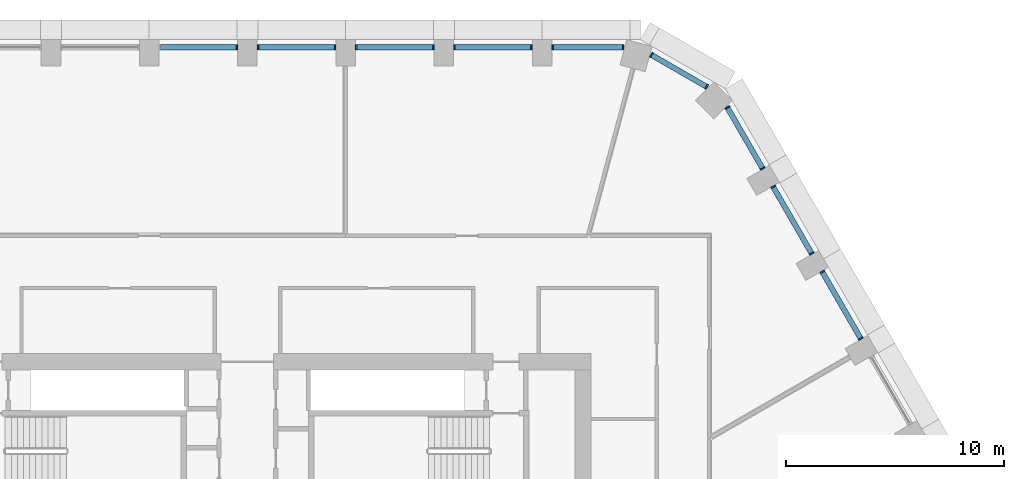
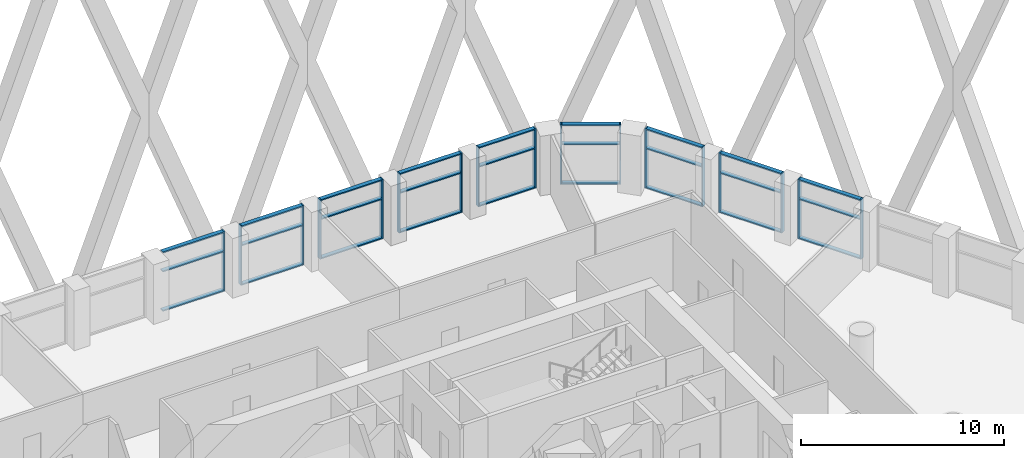
# One storey, part 5 of 24: 44 members, 9 elements without a shape of their own.
"""IFC4 building model written with IfcOpenShell, lengths in metres."""

from ifc_helpers import new_model, si_unit, direction, frame, origin, origin_2d, place, context, subcontext, project, spatial, rectangle, extrude, material, layer, layer_set, material_profile, profile_set, type_object, element, aggregate, save


model = new_model("IFC4")

# Units and contexts
model_context = context("Model", 3, precision=1e-05, world=origin(), true_north=direction((0.0, 1.0)))
body_context = subcontext(model_context, "Body", "Model", "MODEL_VIEW")
ifc_project = project(units=[si_unit("LENGTHUNIT", "METRE"), si_unit("AREAUNIT", "SQUARE_METRE"), si_unit("VOLUMEUNIT", "CUBIC_METRE"), si_unit("PLANEANGLEUNIT", "RADIAN"), si_unit("MASSUNIT", "GRAM", prefix="KILO")], contexts=[model_context])

# Site, building, storey
site_placement = place(None, origin())
site = spatial("IfcSite", under=ifc_project, at=site_placement, CompositionType="ELEMENT")
building_placement = place(site_placement, origin())
building = spatial("IfcBuilding", under=site, at=building_placement, Name="Dhurran Vertical Campus", CompositionType="ELEMENT")
storey_placement = place(building_placement, frame((0.0, 0.0, 132.60009765625)))
storey = spatial("IfcBuildingStorey", under=building, at=storey_placement, Name="L32", CompositionType="ELEMENT", Elevation=132.60009765625)

# Curtain wall, members
ifc_material_1 = material(Name="Aluminium frame with solar-control glass", Category="aluminium")
ifc_layer = layer(ifc_material_1, 0.25)
ifc_layer_set = layer_set([ifc_layer], Name="Aluminium frame with solar-control glass")
curtain_wall_type = type_object("IfcCurtainWallType", Name="Sky lobby glazing system", PredefinedType="NOTDEFINED", material=ifc_layer_set)
curtain_wall_1_placement = place(storey_placement, origin())
curtain_wall_1 = element("IfcCurtainWall", 1, at=curtain_wall_1_placement, inside=storey, type_object=curtain_wall_type, Name="CW3 L32.19", PredefinedType="NOTDEFINED")
ifc_material_2 = material(Name="Aluminium mullion", Category="aluminium")
ifc_material_profile_1 = material_profile(ifc_material_2, rectangle(XDim=0.239990234375, YDim=0.070068359375, at=origin_2d()), Name="Sky lobby glazing system mullion")
ifc_profile_set_1 = profile_set([ifc_material_profile_1], Name="Aluminium mullion")
member_type_1 = type_object("IfcMemberType", Name="Sky lobby glazing system mullion", PredefinedType="MULLION", material=ifc_profile_set_1)
member_1_placement = place(storey_placement, frame((28.101318359375, 14.186767578125, 0.0), z_axis=(0.0, 0.0, 1.0), x_axis=(-0.866023637427, -0.500003059408, 0.0)))
member_1 = element("IfcMember", 2, at=member_1_placement, type_object=member_type_1, Name="CW3 mullion 1", PredefinedType="MULLION", context=body_context, shape_type="SweptSolid", body=[
    extrude(rectangle(XDim=0.239990234375, YDim=0.070068359375, at=origin_2d()), origin(), (0.0, 0.0, 1.0), 3.574951171875),
])
member_2_placement = place(storey_placement, frame((26.3369140625, 17.242919921875, 0.0), z_axis=(0.0, 0.0, 1.0), x_axis=(-0.866023637427, -0.500003059408, 0.0)))
member_2 = element("IfcMember", 3, at=member_2_placement, type_object=member_type_1, Name="CW3 mullion 2", PredefinedType="MULLION", context=body_context, shape_type="SweptSolid", body=[
    extrude(rectangle(XDim=0.239990234375, YDim=0.070068359375, at=origin_2d()), origin(), (0.0, 0.0, 1.0), 3.574951171875),
])

curtain_wall_2_placement = place(storey_placement, origin())
curtain_wall_2 = element("IfcCurtainWall", 4, at=curtain_wall_2_placement, inside=storey, type_object=curtain_wall_type, Name="CW3 L32.20", PredefinedType="NOTDEFINED")
member_3_placement = place(storey_placement, frame((25.851318359375, 18.083984375, 0.0), z_axis=(0.0, 0.0, 1.0), x_axis=(-0.866023637427, -0.500003059408, 0.0)))
member_3 = element("IfcMember", 5, at=member_3_placement, type_object=member_type_1, Name="CW3 mullion 1", PredefinedType="MULLION", context=body_context, shape_type="SweptSolid", body=[
    extrude(rectangle(XDim=0.239990234375, YDim=0.070068359375, at=origin_2d()), origin(), (0.0, 0.0, 1.0), 3.574951171875),
])
member_4_placement = place(storey_placement, frame((24.0869140625, 21.14013671875, 0.0), z_axis=(0.0, 0.0, 1.0), x_axis=(-0.866023637427, -0.500003059408, 0.0)))
member_4 = element("IfcMember", 6, at=member_4_placement, type_object=member_type_1, Name="CW3 mullion 2", PredefinedType="MULLION", context=body_context, shape_type="SweptSolid", body=[
    extrude(rectangle(XDim=0.239990234375, YDim=0.070068359375, at=origin_2d()), origin(), (0.0, 0.0, 1.0), 3.574951171875),
])

curtain_wall_3_placement = place(storey_placement, origin())
curtain_wall_3 = element("IfcCurtainWall", 7, at=curtain_wall_3_placement, inside=storey, type_object=curtain_wall_type, Name="CW3 L32.21", PredefinedType="NOTDEFINED")
member_5_placement = place(storey_placement, frame((23.601318359375, 21.98095703125, 0.0), z_axis=(0.0, 0.0, 1.0), x_axis=(-0.866026338808, -0.499998380488, 0.0)))
member_5 = element("IfcMember", 8, at=member_5_placement, type_object=member_type_1, Name="CW3 mullion 1", PredefinedType="MULLION", context=body_context, shape_type="SweptSolid", body=[
    extrude(rectangle(XDim=0.239990234375, YDim=0.070068359375, at=origin_2d()), origin(), (0.0, 0.0, 1.0), 3.574951171875),
])
member_6_placement = place(storey_placement, frame((21.9892578125, 24.773193359375, 0.0), z_axis=(0.0, 0.0, 1.0), x_axis=(-0.866026338808, -0.499998380488, 0.0)))
member_6 = element("IfcMember", 9, at=member_6_placement, type_object=member_type_1, Name="CW3 mullion 2", PredefinedType="MULLION", context=body_context, shape_type="SweptSolid", body=[
    extrude(rectangle(XDim=0.239990234375, YDim=0.070068359375, at=origin_2d()), origin(), (0.0, 0.0, 1.0), 3.574951171875),
])

curtain_wall_4_placement = place(storey_placement, origin())
curtain_wall_4 = element("IfcCurtainWall", 10, at=curtain_wall_4_placement, inside=storey, type_object=curtain_wall_type, Name="CW3 L32.22", PredefinedType="NOTDEFINED")
member_7_placement = place(storey_placement, frame((21.03759765625, 25.724853515625, 0.0), z_axis=(0.0, 0.0, 1.0), x_axis=(-0.500003351625, -0.866023468714, 0.0)))
member_7 = element("IfcMember", 11, at=member_7_placement, type_object=member_type_1, Name="CW3 mullion 1", PredefinedType="MULLION", context=body_context, shape_type="SweptSolid", body=[
    extrude(rectangle(XDim=0.239990234375, YDim=0.070068359375, at=origin_2d()), origin(), (0.0, 0.0, 1.0), 3.574951171875),
])
member_8_placement = place(storey_placement, frame((18.509521484375, 27.184326171875, 0.0), z_axis=(0.0, 0.0, 1.0), x_axis=(-0.500003351625, -0.866023468714, 0.0)))
member_8 = element("IfcMember", 12, at=member_8_placement, type_object=member_type_1, Name="CW3 mullion 2", PredefinedType="MULLION", context=body_context, shape_type="SweptSolid", body=[
    extrude(rectangle(XDim=0.239990234375, YDim=0.070068359375, at=origin_2d()), origin(), (0.0, 0.0, 1.0), 3.574951171875),
])

curtain_wall_5_placement = place(storey_placement, origin())
curtain_wall_5 = element("IfcCurtainWall", 13, at=curtain_wall_5_placement, inside=storey, type_object=curtain_wall_type, Name="CW3 L32.23", PredefinedType="NOTDEFINED")
member_9_placement = place(storey_placement, frame((17.209716796875, 27.53271484375, 0.0), z_axis=(0.0, 0.0, 1.0), x_axis=(0.0, -1.0, 0.0)))
member_9 = element("IfcMember", 14, at=member_9_placement, type_object=member_type_1, Name="CW3 mullion 1", PredefinedType="MULLION", context=body_context, shape_type="SweptSolid", body=[
    extrude(rectangle(XDim=0.239990234375, YDim=0.070068359375, at=origin_2d()), origin(), (0.0, 0.0, 1.0), 3.574951171875),
])
member_10_placement = place(storey_placement, frame((13.985595703125, 27.53271484375, 0.0), z_axis=(0.0, 0.0, 1.0), x_axis=(0.0, -1.0, 0.0)))
member_10 = element("IfcMember", 15, at=member_10_placement, type_object=member_type_1, Name="CW3 mullion 2", PredefinedType="MULLION", context=body_context, shape_type="SweptSolid", body=[
    extrude(rectangle(XDim=0.239990234375, YDim=0.070068359375, at=origin_2d()), origin(), (0.0, 0.0, 1.0), 3.574951171875),
])

curtain_wall_6_placement = place(storey_placement, origin())
curtain_wall_6 = element("IfcCurtainWall", 16, at=curtain_wall_6_placement, inside=storey, type_object=curtain_wall_type, Name="CW3 L32.24", PredefinedType="NOTDEFINED")
member_11_placement = place(storey_placement, frame((13.014404296875, 27.53271484375, 0.0), z_axis=(0.0, 0.0, 1.0), x_axis=(0.0, -1.0, 0.0)))
member_11 = element("IfcMember", 17, at=member_11_placement, type_object=member_type_1, Name="CW3 mullion 1", PredefinedType="MULLION", context=body_context, shape_type="SweptSolid", body=[
    extrude(rectangle(XDim=0.239990234375, YDim=0.070068359375, at=origin_2d()), origin(), (0.0, 0.0, 1.0), 3.574951171875),
])
member_12_placement = place(storey_placement, frame((9.485595703125, 27.53271484375, 0.0), z_axis=(0.0, 0.0, 1.0), x_axis=(0.0, -1.0, 0.0)))
member_12 = element("IfcMember", 18, at=member_12_placement, type_object=member_type_1, Name="CW3 mullion 2", PredefinedType="MULLION", context=body_context, shape_type="SweptSolid", body=[
    extrude(rectangle(XDim=0.239990234375, YDim=0.070068359375, at=origin_2d()), origin(), (0.0, 0.0, 1.0), 3.574951171875),
])

curtain_wall_7_placement = place(storey_placement, origin())
curtain_wall_7 = element("IfcCurtainWall", 19, at=curtain_wall_7_placement, inside=storey, type_object=curtain_wall_type, Name="CW3 L32.25", PredefinedType="NOTDEFINED")
member_13_placement = place(storey_placement, frame((8.514404296875, 27.53271484375, 0.0), z_axis=(0.0, 0.0, 1.0), x_axis=(0.0, -1.0, 0.0)))
member_13 = element("IfcMember", 20, at=member_13_placement, type_object=member_type_1, Name="CW3 mullion 1", PredefinedType="MULLION", context=body_context, shape_type="SweptSolid", body=[
    extrude(rectangle(XDim=0.239990234375, YDim=0.070068359375, at=origin_2d()), origin(), (0.0, 0.0, 1.0), 3.574951171875),
])
member_14_placement = place(storey_placement, frame((4.985595703125, 27.53271484375, 0.0), z_axis=(0.0, 0.0, 1.0), x_axis=(0.0, -1.0, 0.0)))
member_14 = element("IfcMember", 21, at=member_14_placement, type_object=member_type_1, Name="CW3 mullion 2", PredefinedType="MULLION", context=body_context, shape_type="SweptSolid", body=[
    extrude(rectangle(XDim=0.239990234375, YDim=0.070068359375, at=origin_2d()), origin(), (0.0, 0.0, 1.0), 3.574951171875),
])

curtain_wall_8_placement = place(storey_placement, origin())
curtain_wall_8 = element("IfcCurtainWall", 22, at=curtain_wall_8_placement, inside=storey, type_object=curtain_wall_type, Name="CW3 L32.26", PredefinedType="NOTDEFINED")
member_15_placement = place(storey_placement, frame((4.014404296875, 27.53271484375, 0.0), z_axis=(0.0, 0.0, 1.0), x_axis=(0.0, -1.0, 0.0)))
member_15 = element("IfcMember", 23, at=member_15_placement, type_object=member_type_1, Name="CW3 mullion 1", PredefinedType="MULLION", context=body_context, shape_type="SweptSolid", body=[
    extrude(rectangle(XDim=0.239990234375, YDim=0.070068359375, at=origin_2d()), origin(), (0.0, 0.0, 1.0), 3.574951171875),
])
member_16_placement = place(storey_placement, frame((0.485595703125, 27.53271484375, 0.0), z_axis=(0.0, 0.0, 1.0), x_axis=(0.0, -1.0, 0.0)))
member_16 = element("IfcMember", 24, at=member_16_placement, type_object=member_type_1, Name="CW3 mullion 2", PredefinedType="MULLION", context=body_context, shape_type="SweptSolid", body=[
    extrude(rectangle(XDim=0.239990234375, YDim=0.070068359375, at=origin_2d()), origin(), (0.0, 0.0, 1.0), 3.574951171875),
])

# Curtain wall, member
curtain_wall_9_placement = place(storey_placement, origin())
curtain_wall_9 = element("IfcCurtainWall", 25, at=curtain_wall_9_placement, inside=storey, type_object=curtain_wall_type, Name="CW3 L32.27", PredefinedType="NOTDEFINED")
member_17_placement = place(storey_placement, frame((-0.485595703125, 27.53271484375, 0.0), z_axis=(0.0, 0.0, 1.0), x_axis=(0.0, -1.0, 0.0)))
member_17 = element("IfcMember", 26, at=member_17_placement, type_object=member_type_1, Name="CW3 mullion 1", PredefinedType="MULLION", context=body_context, shape_type="SweptSolid", body=[
    extrude(rectangle(XDim=0.239990234375, YDim=0.070068359375, at=origin_2d()), origin(), (0.0, 0.0, 1.0), 3.574951171875),
])

# Member
ifc_material_3 = material(Name="Aluminium transom", Category="aluminium")
ifc_material_profile_2 = material_profile(ifc_material_3, rectangle(XDim=0.239990234375, YDim=0.070068359375, at=origin_2d()), Name="Sky lobby glazing system transom")
ifc_profile_set_2 = profile_set([ifc_material_profile_2], Name="Aluminium transom")
member_type_2 = type_object("IfcMemberType", Name="Sky lobby glazing system transom", PredefinedType="USERDEFINED", material=ifc_profile_set_2)
member_18_placement = place(storey_placement, frame((28.083740234375, 14.217041015625, 0.034912109375), z_axis=(-0.499995352082, 0.866028087245, 0.0), x_axis=(-0.866028087245, -0.499995352082, 0.0)))
member_18 = element("IfcMember", 27, at=member_18_placement, type_object=member_type_2, Name="CW3 transom 1.1", ObjectType="TRANSOM", PredefinedType="USERDEFINED", context=body_context, shape_type="SweptSolid", body=[
    extrude(rectangle(XDim=0.239990234375, YDim=0.070068359375, at=origin_2d()), origin(), (0.0, 0.0, 1.0), 3.458984375),
])

member_19_placement = place(storey_placement, frame((28.083740234375, 14.217041015625, 2.39990234375), z_axis=(-0.499995352082, 0.866028087245, 0.0), x_axis=(-0.866028087245, -0.499995352082, 0.0)))
member_19 = element("IfcMember", 28, at=member_19_placement, type_object=member_type_2, Name="CW3 transom 1.2", ObjectType="TRANSOM", PredefinedType="USERDEFINED", context=body_context, shape_type="SweptSolid", body=[
    extrude(rectangle(XDim=0.239990234375, YDim=0.070068359375, at=origin_2d()), origin(), (0.0, 0.0, 1.0), 3.458984375),
])

member_20_placement = place(storey_placement, frame((28.083740234375, 14.217041015625, 3.539794921875), z_axis=(-0.499995352082, 0.866028087245, 0.0), x_axis=(-0.866028087245, -0.499995352082, 0.0)))
member_20 = element("IfcMember", 29, at=member_20_placement, type_object=member_type_2, Name="CW3 transom 1.3", ObjectType="TRANSOM", PredefinedType="USERDEFINED", context=body_context, shape_type="SweptSolid", body=[
    extrude(rectangle(XDim=0.239990234375, YDim=0.070068359375, at=origin_2d()), origin(), (0.0, 0.0, 1.0), 3.458984375),
])

aggregate(curtain_wall_1, [member_1, member_2, member_18, member_19, member_20])

member_21_placement = place(storey_placement, frame((25.833740234375, 18.1142578125, 0.034912109375), z_axis=(-0.499995352082, 0.866028087245, 0.0), x_axis=(-0.866028087245, -0.499995352082, 0.0)))
member_21 = element("IfcMember", 30, at=member_21_placement, type_object=member_type_2, Name="CW3 transom 1.1", ObjectType="TRANSOM", PredefinedType="USERDEFINED", context=body_context, shape_type="SweptSolid", body=[
    extrude(rectangle(XDim=0.239990234375, YDim=0.070068359375, at=origin_2d()), origin(), (0.0, 0.0, 1.0), 3.458984375),
])

member_22_placement = place(storey_placement, frame((25.833740234375, 18.1142578125, 2.39990234375), z_axis=(-0.499995352082, 0.866028087245, 0.0), x_axis=(-0.866028087245, -0.499995352082, 0.0)))
member_22 = element("IfcMember", 31, at=member_22_placement, type_object=member_type_2, Name="CW3 transom 1.2", ObjectType="TRANSOM", PredefinedType="USERDEFINED", context=body_context, shape_type="SweptSolid", body=[
    extrude(rectangle(XDim=0.239990234375, YDim=0.070068359375, at=origin_2d()), origin(), (0.0, 0.0, 1.0), 3.458984375),
])

member_23_placement = place(storey_placement, frame((25.833740234375, 18.1142578125, 3.539794921875), z_axis=(-0.499995352082, 0.866028087245, 0.0), x_axis=(-0.866028087245, -0.499995352082, 0.0)))
member_23 = element("IfcMember", 32, at=member_23_placement, type_object=member_type_2, Name="CW3 transom 1.3", ObjectType="TRANSOM", PredefinedType="USERDEFINED", context=body_context, shape_type="SweptSolid", body=[
    extrude(rectangle(XDim=0.239990234375, YDim=0.070068359375, at=origin_2d()), origin(), (0.0, 0.0, 1.0), 3.458984375),
])

aggregate(curtain_wall_2, [member_3, member_4, member_21, member_22, member_23])

member_24_placement = place(storey_placement, frame((23.583740234375, 22.01123046875, 0.034912109375), z_axis=(-0.499977078692, 0.866038637003, 0.0), x_axis=(-0.866038637003, -0.499977078692, 0.0)))
member_24 = element("IfcMember", 33, at=member_24_placement, type_object=member_type_2, Name="CW3 transom 1.1", ObjectType="TRANSOM", PredefinedType="USERDEFINED", context=body_context, shape_type="SweptSolid", body=[
    extrude(rectangle(XDim=0.239990234375, YDim=0.070068359375, at=origin_2d()), origin(), (0.0, 0.0, 1.0), 3.154052734375),
])

member_25_placement = place(storey_placement, frame((23.583740234375, 22.01123046875, 2.39990234375), z_axis=(-0.499977078692, 0.866038637003, 0.0), x_axis=(-0.866038637003, -0.499977078692, 0.0)))
member_25 = element("IfcMember", 34, at=member_25_placement, type_object=member_type_2, Name="CW3 transom 1.2", ObjectType="TRANSOM", PredefinedType="USERDEFINED", context=body_context, shape_type="SweptSolid", body=[
    extrude(rectangle(XDim=0.239990234375, YDim=0.070068359375, at=origin_2d()), origin(), (0.0, 0.0, 1.0), 3.154052734375),
])

member_26_placement = place(storey_placement, frame((23.583740234375, 22.01123046875, 3.539794921875), z_axis=(-0.499977078692, 0.866038637003, 0.0), x_axis=(-0.866038637003, -0.499977078692, 0.0)))
member_26 = element("IfcMember", 35, at=member_26_placement, type_object=member_type_2, Name="CW3 transom 1.3", ObjectType="TRANSOM", PredefinedType="USERDEFINED", context=body_context, shape_type="SweptSolid", body=[
    extrude(rectangle(XDim=0.239990234375, YDim=0.070068359375, at=origin_2d()), origin(), (0.0, 0.0, 1.0), 3.154052734375),
])

aggregate(curtain_wall_3, [member_5, member_6, member_24, member_25, member_26])

member_27_placement = place(storey_placement, frame((21.00732421875, 25.7421875, 0.034912109375), z_axis=(-0.865998658444, 0.500046321428, 0.0), x_axis=(-0.500046321428, -0.865998658444, 0.0)))
member_27 = element("IfcMember", 36, at=member_27_placement, type_object=member_type_2, Name="CW3 transom 1.1", ObjectType="TRANSOM", PredefinedType="USERDEFINED", context=body_context, shape_type="SweptSolid", body=[
    extrude(rectangle(XDim=0.239990234375, YDim=0.070068359375, at=origin_2d()), origin(), (0.0, 0.0, 1.0), 2.849365234375),
])

member_28_placement = place(storey_placement, frame((21.00732421875, 25.7421875, 2.39990234375), z_axis=(-0.865998658444, 0.500046321428, 0.0), x_axis=(-0.500046321428, -0.865998658444, 0.0)))
member_28 = element("IfcMember", 37, at=member_28_placement, type_object=member_type_2, Name="CW3 transom 1.2", ObjectType="TRANSOM", PredefinedType="USERDEFINED", context=body_context, shape_type="SweptSolid", body=[
    extrude(rectangle(XDim=0.239990234375, YDim=0.070068359375, at=origin_2d()), origin(), (0.0, 0.0, 1.0), 2.849365234375),
])

member_29_placement = place(storey_placement, frame((21.00732421875, 25.7421875, 3.539794921875), z_axis=(-0.865998658444, 0.500046321428, 0.0), x_axis=(-0.500046321428, -0.865998658444, 0.0)))
member_29 = element("IfcMember", 38, at=member_29_placement, type_object=member_type_2, Name="CW3 transom 1.3", ObjectType="TRANSOM", PredefinedType="USERDEFINED", context=body_context, shape_type="SweptSolid", body=[
    extrude(rectangle(XDim=0.239990234375, YDim=0.070068359375, at=origin_2d()), origin(), (0.0, 0.0, 1.0), 2.849365234375),
])

aggregate(curtain_wall_4, [member_7, member_8, member_27, member_28, member_29])

member_30_placement = place(storey_placement, frame((17.174560546875, 27.53271484375, 0.034912109375), z_axis=(-1.0, 0.0, 0.0), x_axis=(0.0, -1.0, 0.0)))
member_30 = element("IfcMember", 39, at=member_30_placement, type_object=member_type_2, Name="CW3 transom 1.1", ObjectType="TRANSOM", PredefinedType="USERDEFINED", context=body_context, shape_type="SweptSolid", body=[
    extrude(rectangle(XDim=0.239990234375, YDim=0.070068359375, at=origin_2d()), origin(), (0.0, 0.0, 1.0), 3.154052734375),
])

member_31_placement = place(storey_placement, frame((17.174560546875, 27.53271484375, 2.39990234375), z_axis=(-1.0, 0.0, 0.0), x_axis=(0.0, -1.0, 0.0)))
member_31 = element("IfcMember", 40, at=member_31_placement, type_object=member_type_2, Name="CW3 transom 1.2", ObjectType="TRANSOM", PredefinedType="USERDEFINED", context=body_context, shape_type="SweptSolid", body=[
    extrude(rectangle(XDim=0.239990234375, YDim=0.070068359375, at=origin_2d()), origin(), (0.0, 0.0, 1.0), 3.154052734375),
])

member_32_placement = place(storey_placement, frame((17.174560546875, 27.53271484375, 3.539794921875), z_axis=(-1.0, 0.0, 0.0), x_axis=(0.0, -1.0, 0.0)))
member_32 = element("IfcMember", 41, at=member_32_placement, type_object=member_type_2, Name="CW3 transom 1.3", ObjectType="TRANSOM", PredefinedType="USERDEFINED", context=body_context, shape_type="SweptSolid", body=[
    extrude(rectangle(XDim=0.239990234375, YDim=0.070068359375, at=origin_2d()), origin(), (0.0, 0.0, 1.0), 3.154052734375),
])

aggregate(curtain_wall_5, [member_9, member_10, member_30, member_31, member_32])

member_33_placement = place(storey_placement, frame((12.9794921875, 27.53271484375, 0.034912109375), z_axis=(-1.0, 0.0, 0.0), x_axis=(0.0, -1.0, 0.0)))
member_33 = element("IfcMember", 42, at=member_33_placement, type_object=member_type_2, Name="CW3 transom 1.1", ObjectType="TRANSOM", PredefinedType="USERDEFINED", context=body_context, shape_type="SweptSolid", body=[
    extrude(rectangle(XDim=0.239990234375, YDim=0.070068359375, at=origin_2d()), origin(), (0.0, 0.0, 1.0), 3.458984375),
])

member_34_placement = place(storey_placement, frame((12.9794921875, 27.53271484375, 2.39990234375), z_axis=(-1.0, 0.0, 0.0), x_axis=(0.0, -1.0, 0.0)))
member_34 = element("IfcMember", 43, at=member_34_placement, type_object=member_type_2, Name="CW3 transom 1.2", ObjectType="TRANSOM", PredefinedType="USERDEFINED", context=body_context, shape_type="SweptSolid", body=[
    extrude(rectangle(XDim=0.239990234375, YDim=0.070068359375, at=origin_2d()), origin(), (0.0, 0.0, 1.0), 3.458984375),
])

member_35_placement = place(storey_placement, frame((12.9794921875, 27.53271484375, 3.539794921875), z_axis=(-1.0, 0.0, 0.0), x_axis=(0.0, -1.0, 0.0)))
member_35 = element("IfcMember", 44, at=member_35_placement, type_object=member_type_2, Name="CW3 transom 1.3", ObjectType="TRANSOM", PredefinedType="USERDEFINED", context=body_context, shape_type="SweptSolid", body=[
    extrude(rectangle(XDim=0.239990234375, YDim=0.070068359375, at=origin_2d()), origin(), (0.0, 0.0, 1.0), 3.458984375),
])

aggregate(curtain_wall_6, [member_11, member_12, member_33, member_34, member_35])

member_36_placement = place(storey_placement, frame((8.4794921875, 27.53271484375, 0.034912109375), z_axis=(-1.0, 0.0, 0.0), x_axis=(0.0, -1.0, 0.0)))
member_36 = element("IfcMember", 45, at=member_36_placement, type_object=member_type_2, Name="CW3 transom 1.1", ObjectType="TRANSOM", PredefinedType="USERDEFINED", context=body_context, shape_type="SweptSolid", body=[
    extrude(rectangle(XDim=0.239990234375, YDim=0.070068359375, at=origin_2d()), origin(), (0.0, 0.0, 1.0), 3.458984375),
])

member_37_placement = place(storey_placement, frame((8.4794921875, 27.53271484375, 2.39990234375), z_axis=(-1.0, 0.0, 0.0), x_axis=(0.0, -1.0, 0.0)))
member_37 = element("IfcMember", 46, at=member_37_placement, type_object=member_type_2, Name="CW3 transom 1.2", ObjectType="TRANSOM", PredefinedType="USERDEFINED", context=body_context, shape_type="SweptSolid", body=[
    extrude(rectangle(XDim=0.239990234375, YDim=0.070068359375, at=origin_2d()), origin(), (0.0, 0.0, 1.0), 3.458984375),
])

member_38_placement = place(storey_placement, frame((8.4794921875, 27.53271484375, 3.539794921875), z_axis=(-1.0, 0.0, 0.0), x_axis=(0.0, -1.0, 0.0)))
member_38 = element("IfcMember", 47, at=member_38_placement, type_object=member_type_2, Name="CW3 transom 1.3", ObjectType="TRANSOM", PredefinedType="USERDEFINED", context=body_context, shape_type="SweptSolid", body=[
    extrude(rectangle(XDim=0.239990234375, YDim=0.070068359375, at=origin_2d()), origin(), (0.0, 0.0, 1.0), 3.458984375),
])

aggregate(curtain_wall_7, [member_13, member_14, member_36, member_37, member_38])

member_39_placement = place(storey_placement, frame((3.9794921875, 27.53271484375, 0.034912109375), z_axis=(-1.0, 0.0, 0.0), x_axis=(0.0, -1.0, 0.0)))
member_39 = element("IfcMember", 48, at=member_39_placement, type_object=member_type_2, Name="CW3 transom 1.1", ObjectType="TRANSOM", PredefinedType="USERDEFINED", context=body_context, shape_type="SweptSolid", body=[
    extrude(rectangle(XDim=0.239990234375, YDim=0.070068359375, at=origin_2d()), origin(), (0.0, 0.0, 1.0), 3.458984375),
])

member_40_placement = place(storey_placement, frame((3.9794921875, 27.53271484375, 2.39990234375), z_axis=(-1.0, 0.0, 0.0), x_axis=(0.0, -1.0, 0.0)))
member_40 = element("IfcMember", 49, at=member_40_placement, type_object=member_type_2, Name="CW3 transom 1.2", ObjectType="TRANSOM", PredefinedType="USERDEFINED", context=body_context, shape_type="SweptSolid", body=[
    extrude(rectangle(XDim=0.239990234375, YDim=0.070068359375, at=origin_2d()), origin(), (0.0, 0.0, 1.0), 3.458984375),
])

member_41_placement = place(storey_placement, frame((3.9794921875, 27.53271484375, 3.539794921875), z_axis=(-1.0, 0.0, 0.0), x_axis=(0.0, -1.0, 0.0)))
member_41 = element("IfcMember", 50, at=member_41_placement, type_object=member_type_2, Name="CW3 transom 1.3", ObjectType="TRANSOM", PredefinedType="USERDEFINED", context=body_context, shape_type="SweptSolid", body=[
    extrude(rectangle(XDim=0.239990234375, YDim=0.070068359375, at=origin_2d()), origin(), (0.0, 0.0, 1.0), 3.458984375),
])

aggregate(curtain_wall_8, [member_15, member_16, member_39, member_40, member_41])

member_42_placement = place(storey_placement, frame((-0.5205078125, 27.53271484375, 0.034912109375), z_axis=(-1.0, 0.0, 0.0), x_axis=(0.0, -1.0, 0.0)))
member_42 = element("IfcMember", 51, at=member_42_placement, type_object=member_type_2, Name="CW3 transom 1.1", ObjectType="TRANSOM", PredefinedType="USERDEFINED", context=body_context, shape_type="SweptSolid", body=[
    extrude(rectangle(XDim=0.239990234375, YDim=0.070068359375, at=origin_2d()), origin(), (0.0, 0.0, 1.0), 3.458984375),
])

member_43_placement = place(storey_placement, frame((-0.5205078125, 27.53271484375, 2.39990234375), z_axis=(-1.0, 0.0, 0.0), x_axis=(0.0, -1.0, 0.0)))
member_43 = element("IfcMember", 52, at=member_43_placement, type_object=member_type_2, Name="CW3 transom 1.2", ObjectType="TRANSOM", PredefinedType="USERDEFINED", context=body_context, shape_type="SweptSolid", body=[
    extrude(rectangle(XDim=0.239990234375, YDim=0.070068359375, at=origin_2d()), origin(), (0.0, 0.0, 1.0), 3.458984375),
])

member_44_placement = place(storey_placement, frame((-0.5205078125, 27.53271484375, 3.539794921875), z_axis=(-1.0, 0.0, 0.0), x_axis=(0.0, -1.0, 0.0)))
member_44 = element("IfcMember", 53, at=member_44_placement, type_object=member_type_2, Name="CW3 transom 1.3", ObjectType="TRANSOM", PredefinedType="USERDEFINED", context=body_context, shape_type="SweptSolid", body=[
    extrude(rectangle(XDim=0.239990234375, YDim=0.070068359375, at=origin_2d()), origin(), (0.0, 0.0, 1.0), 3.458984375),
])

aggregate(curtain_wall_9, [member_17, member_42, member_43, member_44])

save(model, "model.ifc")
